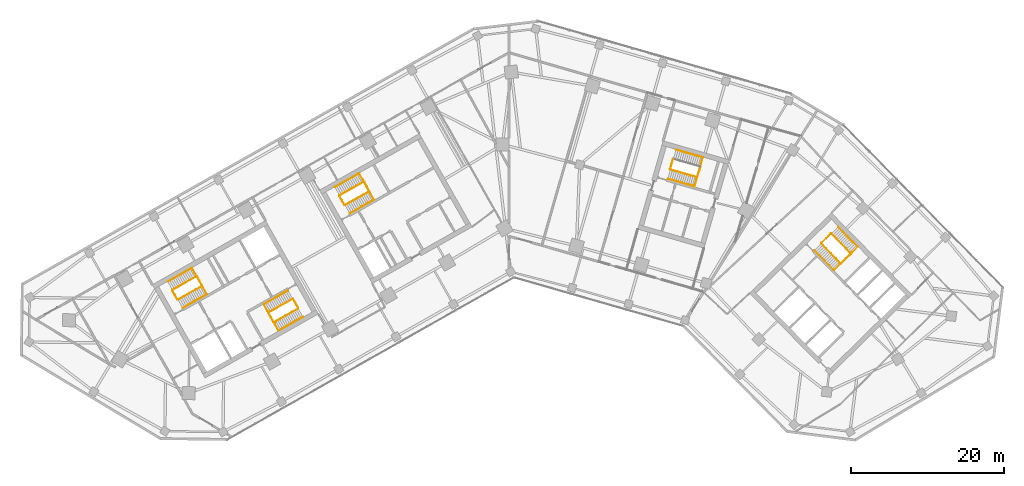
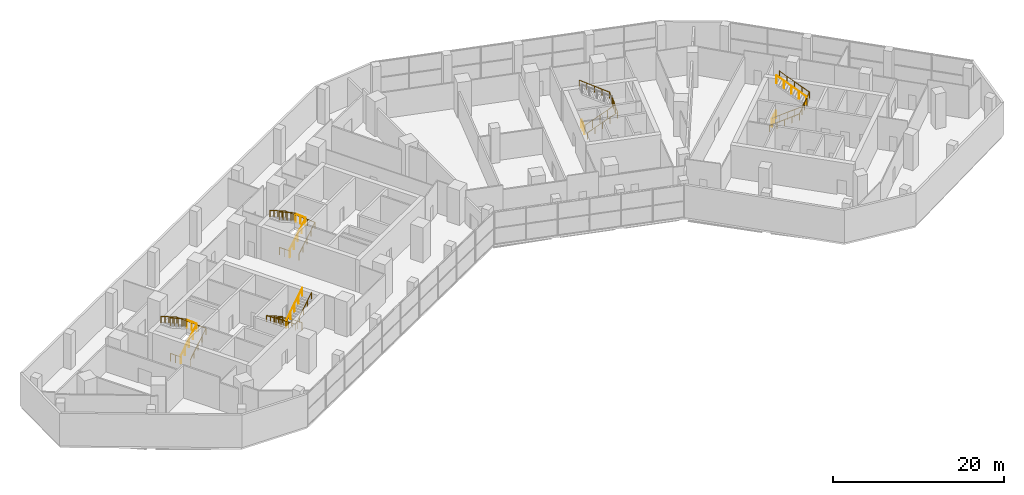
# One storey, part 17 of 18: 19 railings.
"""IFC4 building model written with IfcOpenShell, lengths in metres."""

from ifc_helpers import new_model, si_unit, direction, frame, origin, origin_2d, place, context, subcontext, project, spatial, circle, extrude, material, type_object, element, save


model = new_model("IFC4")

# Units and contexts
model_context = context("Model", 3, precision=1e-05, world=origin(), true_north=direction((0.0, 1.0)))
body_context = subcontext(model_context, "Body", "Model", "MODEL_VIEW")
ifc_project = project(units=[si_unit("LENGTHUNIT", "METRE"), si_unit("AREAUNIT", "SQUARE_METRE"), si_unit("VOLUMEUNIT", "CUBIC_METRE"), si_unit("PLANEANGLEUNIT", "RADIAN"), si_unit("MASSUNIT", "GRAM", prefix="KILO")], contexts=[model_context])

# Site, building, storey
site_placement = place(None, origin())
site = spatial("IfcSite", under=ifc_project, at=site_placement, CompositionType="ELEMENT")
building_placement = place(site_placement, origin())
building = spatial("IfcBuilding", under=site, at=building_placement, Name="Binnacle Exchange Tower", CompositionType="ELEMENT")
storey_placement = place(building_placement, frame((0.0, 0.0, 11.5)))
storey = spatial("IfcBuildingStorey", under=building, at=storey_placement, Name="L02", CompositionType="ELEMENT", Elevation=11.5)

# Railings
ifc_material_1 = material(Name="Steel guard rail", Category="steel")
railing_type_1 = type_object("IfcRailingType", Name="STAIR GUARD 1100", PredefinedType="GUARDRAIL", material=ifc_material_1)
railing_1_placement = place(storey_placement, frame((-43.26171875, 39.71728515625, 0.178466796875)))
element("IfcRailing", 1, at=railing_1_placement, inside=storey, type_object=railing_type_1, Name="L02 STA1 stair guard 1", PredefinedType="GUARDRAIL", context=body_context, shape_type="SweptSolid", body=[
    extrude(circle(Radius=0.02392578125, at=origin_2d()), frame((0.0, 0.0, 1.076171875), z_axis=(0.733795554141, 0.415191658331, 0.537735968274), x_axis=(-0.492450612189, 0.870340390052, 0.0)), (0.0, 0.0, 1.0), 4.317138671875),
    extrude(circle(Radius=0.02392578125, at=origin_2d()), frame((3.16796875, 1.79248046875, 3.3974609375), z_axis=(-0.460963092712, 0.887419307406, 0.0), x_axis=(-0.887419307406, -0.460963092712, 0.0)), (0.0, 0.0, 1.0), 1.40087890625),
    extrude(circle(Radius=0.02099609375, at=origin_2d()), origin(), (0.0, 0.0, 1.0), 1.052001953125),
    extrude(circle(Radius=0.02099609375, at=origin_2d()), frame((0.7919921875, 0.4482421875, 0.580322265625)), (0.0, 0.0, 1.0), 1.052001953125),
    extrude(circle(Radius=0.02099609375, at=origin_2d()), frame((1.583984375, 0.896240234375, 1.16064453125)), (0.0, 0.0, 1.0), 1.052001953125),
    extrude(circle(Radius=0.02099609375, at=origin_2d()), frame((2.3759765625, 1.34423828125, 1.7412109375)), (0.0, 0.0, 1.0), 1.052001953125),
    extrude(circle(Radius=0.02099609375, at=origin_2d()), frame((3.16796875, 1.79248046875, 2.321533203125)), (0.0, 0.0, 1.0), 1.052001953125),
    extrude(circle(Radius=0.02099609375, at=origin_2d()), frame((2.84521484375, 2.4140625, 2.321533203125)), (0.0, 0.0, 1.0), 1.052001953125),
    extrude(circle(Radius=0.02099609375, at=origin_2d()), frame((2.522216796875, 3.03564453125, 2.321533203125)), (0.0, 0.0, 1.0), 1.052001953125),
])
railing_2_placement = place(storey_placement, frame((-40.8076171875, 42.771728515625, 2.678466796875)))
element("IfcRailing", 2, at=railing_2_placement, inside=storey, type_object=railing_type_1, Name="L02 STA1 stair guard 2", PredefinedType="GUARDRAIL", context=body_context, shape_type="SweptSolid", body=[
    extrude(circle(Radius=0.02392578125, at=origin_2d()), frame((0.0, 0.0, 1.076171875), z_axis=(-0.733821652932, -0.415174429824, 0.537713654753), x_axis=(0.492421866095, -0.870356654361, 0.0)), (0.0, 0.0, 1.0), 4.3173828125),
    extrude(circle(Radius=0.02099609375, at=origin_2d()), origin(), (0.0, 0.0, 1.0), 1.052001953125),
    extrude(circle(Radius=0.02099609375, at=origin_2d()), frame((-0.7919921875, -0.4482421875, 0.580322265625)), (0.0, 0.0, 1.0), 1.052001953125),
    extrude(circle(Radius=0.02099609375, at=origin_2d()), frame((-1.583984375, -0.896240234375, 1.16064453125)), (0.0, 0.0, 1.0), 1.052001953125),
    extrude(circle(Radius=0.02099609375, at=origin_2d()), frame((-2.376220703125, -1.34423828125, 1.7412109375)), (0.0, 0.0, 1.0), 1.052001953125),
    extrude(circle(Radius=0.02099609375, at=origin_2d()), frame((-3.168212890625, -1.79248046875, 2.321533203125)), (0.0, 0.0, 1.0), 1.052001953125),
])
railing_3_placement = place(storey_placement, frame((-43.329833984375, 39.736328125, 0.0)))
element("IfcRailing", 3, at=railing_3_placement, inside=storey, type_object=railing_type_1, Name="L02 STA1 stair guard 3", PredefinedType="GUARDRAIL", context=body_context, shape_type="SweptSolid", body=[
    extrude(circle(Radius=0.02392578125, at=origin_2d()), frame((0.0, 0.0, 1.076171875), z_axis=(-0.4924922531, 0.870316827734, 0.0), x_axis=(-0.870316827734, -0.4924922531, 0.0)), (0.0, 0.0, 1.0), 1.349853515625),
    extrude(circle(Radius=0.02099609375, at=origin_2d()), origin(), (0.0, 0.0, 1.0), 1.052001953125),
    extrude(circle(Radius=0.02099609375, at=origin_2d()), frame((-0.33251953125, 0.58740234375, 0.0)), (0.0, 0.0, 1.0), 1.052001953125),
    extrude(circle(Radius=0.02099609375, at=origin_2d()), frame((-0.664794921875, 1.1748046875, 0.0)), (0.0, 0.0, 1.0), 1.052001953125),
])
railing_4_placement = place(storey_placement, frame((-28.265380859375, 39.814453125, 0.178466796875)))
element("IfcRailing", 4, at=railing_4_placement, inside=storey, type_object=railing_type_1, Name="L02 STA2 stair guard 1", PredefinedType="GUARDRAIL", context=body_context, shape_type="SweptSolid", body=[
    extrude(circle(Radius=0.02392578125, at=origin_2d()), frame((0.0, 0.0, 1.076171875), z_axis=(-0.733821652932, -0.415174429824, 0.537713654753), x_axis=(0.492421866095, -0.870356654361, 0.0)), (0.0, 0.0, 1.0), 4.3173828125),
    extrude(circle(Radius=0.02392578125, at=origin_2d()), frame((-3.168212890625, -1.79248046875, 3.3974609375), z_axis=(0.461100321709, -0.887348011391, 0.0), x_axis=(0.887348011391, 0.461100321709, 0.0)), (0.0, 0.0, 1.0), 1.40087890625),
    extrude(circle(Radius=0.02099609375, at=origin_2d()), origin(), (0.0, 0.0, 1.0), 1.052001953125),
    extrude(circle(Radius=0.02099609375, at=origin_2d()), frame((-0.7919921875, -0.4482421875, 0.580322265625)), (0.0, 0.0, 1.0), 1.052001953125),
    extrude(circle(Radius=0.02099609375, at=origin_2d()), frame((-1.583984375, -0.896240234375, 1.16064453125)), (0.0, 0.0, 1.0), 1.052001953125),
    extrude(circle(Radius=0.02099609375, at=origin_2d()), frame((-2.376220703125, -1.34423828125, 1.7412109375)), (0.0, 0.0, 1.0), 1.052001953125),
    extrude(circle(Radius=0.02099609375, at=origin_2d()), frame((-3.168212890625, -1.79248046875, 2.321533203125)), (0.0, 0.0, 1.0), 1.052001953125),
    extrude(circle(Radius=0.02099609375, at=origin_2d()), frame((-2.84521484375, -2.4140625, 2.321533203125)), (0.0, 0.0, 1.0), 1.052001953125),
    extrude(circle(Radius=0.02099609375, at=origin_2d()), frame((-2.522216796875, -3.03564453125, 2.321533203125)), (0.0, 0.0, 1.0), 1.052001953125),
])
railing_5_placement = place(storey_placement, frame((-30.719482421875, 36.760009765625, 2.678466796875)))
element("IfcRailing", 5, at=railing_5_placement, inside=storey, type_object=railing_type_1, Name="L02 STA2 stair guard 2", PredefinedType="GUARDRAIL", context=body_context, shape_type="SweptSolid", body=[
    extrude(circle(Radius=0.02392578125, at=origin_2d()), frame((0.0, 0.0, 1.076171875), z_axis=(0.733795554141, 0.415191658331, 0.537735968274), x_axis=(-0.492450612189, 0.870340390052, 0.0)), (0.0, 0.0, 1.0), 4.317138671875),
    extrude(circle(Radius=0.02099609375, at=origin_2d()), origin(), (0.0, 0.0, 1.0), 1.052001953125),
    extrude(circle(Radius=0.02099609375, at=origin_2d()), frame((0.7919921875, 0.4482421875, 0.580322265625)), (0.0, 0.0, 1.0), 1.052001953125),
    extrude(circle(Radius=0.02099609375, at=origin_2d()), frame((1.583984375, 0.896240234375, 1.16064453125)), (0.0, 0.0, 1.0), 1.052001953125),
    extrude(circle(Radius=0.02099609375, at=origin_2d()), frame((2.3759765625, 1.34423828125, 1.7412109375)), (0.0, 0.0, 1.0), 1.052001953125),
    extrude(circle(Radius=0.02099609375, at=origin_2d()), frame((3.16796875, 1.79248046875, 2.321533203125)), (0.0, 0.0, 1.0), 1.052001953125),
])
railing_6_placement = place(storey_placement, frame((-28.197265625, 39.795654296875, 0.0)))
element("IfcRailing", 6, at=railing_6_placement, inside=storey, type_object=railing_type_1, Name="L02 STA2 stair guard 3", PredefinedType="GUARDRAIL", context=body_context, shape_type="SweptSolid", body=[
    extrude(circle(Radius=0.02392578125, at=origin_2d()), frame((0.0, 0.0, 1.076171875), z_axis=(0.49241474071, -0.870360685654, 0.0), x_axis=(0.870360685654, 0.49241474071, 0.0)), (0.0, 0.0, 1.0), 1.35009765625),
    extrude(circle(Radius=0.02099609375, at=origin_2d()), origin(), (0.0, 0.0, 1.0), 1.052001953125),
    extrude(circle(Radius=0.02099609375, at=origin_2d()), frame((0.33251953125, -0.58740234375, 0.0)), (0.0, 0.0, 1.0), 1.052001953125),
    extrude(circle(Radius=0.02099609375, at=origin_2d()), frame((0.664794921875, -1.175048828125, 0.0)), (0.0, 0.0, 1.0), 1.052001953125),
])
railing_7_placement = place(storey_placement, frame((40.822509765625, 47.046875, 0.178466796875)))
element("IfcRailing", 7, at=railing_7_placement, inside=storey, type_object=railing_type_1, Name="L02 STB1 stair guard 1", PredefinedType="GUARDRAIL", context=body_context, shape_type="SweptSolid", body=[
    extrude(circle(Radius=0.02392578125, at=origin_2d()), frame((0.0, 0.0, 1.076171875), z_axis=(0.590946962671, -0.60135215321, 0.537733461056), x_axis=(0.713250539553, 0.700909172309, 0.0)), (0.0, 0.0, 1.0), 4.317138671875),
    extrude(circle(Radius=0.02392578125, at=origin_2d()), frame((2.55126953125, -2.59619140625, 3.3974609375), z_axis=(0.732527851538, 0.680737061369, 0.0), x_axis=(-0.680737061369, 0.732527851538, 0.0)), (0.0, 0.0, 1.0), 1.80078125),
    extrude(circle(Radius=0.02099609375, at=origin_2d()), origin(), (0.0, 0.0, 1.0), 1.052001953125),
    extrude(circle(Radius=0.02099609375, at=origin_2d()), frame((0.6376953125, -0.64892578125, 0.580322265625)), (0.0, 0.0, 1.0), 1.052001953125),
    extrude(circle(Radius=0.02099609375, at=origin_2d()), frame((1.275634765625, -1.298095703125, 1.16064453125)), (0.0, 0.0, 1.0), 1.052001953125),
    extrude(circle(Radius=0.02099609375, at=origin_2d()), frame((1.91357421875, -1.947265625, 1.7412109375)), (0.0, 0.0, 1.0), 1.052001953125),
    extrude(circle(Radius=0.02099609375, at=origin_2d()), frame((2.55126953125, -2.59619140625, 2.321533203125)), (0.0, 0.0, 1.0), 1.052001953125),
    extrude(circle(Radius=0.02099609375, at=origin_2d()), frame((3.2109375, -1.9833984375, 2.321533203125)), (0.0, 0.0, 1.0), 1.052001953125),
    extrude(circle(Radius=0.02099609375, at=origin_2d()), frame((3.870361328125, -1.370361328125, 2.321533203125)), (0.0, 0.0, 1.0), 1.052001953125),
])
railing_8_placement = place(storey_placement, frame((44.693359375, 45.747314453125, 2.678466796875)))
element("IfcRailing", 8, at=railing_8_placement, inside=storey, type_object=railing_type_1, Name="L02 STB1 stair guard 2", PredefinedType="GUARDRAIL", context=body_context, shape_type="SweptSolid", body=[
    extrude(circle(Radius=0.02392578125, at=origin_2d()), frame((0.0, 0.0, 1.076171875), z_axis=(-0.590946962671, 0.60135215321, 0.537733461056), x_axis=(-0.713250539553, -0.700909172309, 0.0)), (0.0, 0.0, 1.0), 4.317138671875),
    extrude(circle(Radius=0.02099609375, at=origin_2d()), origin(), (0.0, 0.0, 1.0), 1.052001953125),
    extrude(circle(Radius=0.02099609375, at=origin_2d()), frame((-0.6376953125, 0.64892578125, 0.580322265625)), (0.0, 0.0, 1.0), 1.052001953125),
    extrude(circle(Radius=0.02099609375, at=origin_2d()), frame((-1.275634765625, 1.298095703125, 1.16064453125)), (0.0, 0.0, 1.0), 1.052001953125),
    extrude(circle(Radius=0.02099609375, at=origin_2d()), frame((-1.91357421875, 1.947265625, 1.7412109375)), (0.0, 0.0, 1.0), 1.052001953125),
    extrude(circle(Radius=0.02099609375, at=origin_2d()), frame((-2.55126953125, 2.59619140625, 2.321533203125)), (0.0, 0.0, 1.0), 1.052001953125),
])
railing_9_placement = place(storey_placement, frame((40.8232421875, 47.117431640625, 0.0)))
element("IfcRailing", 9, at=railing_9_placement, inside=storey, type_object=railing_type_1, Name="L02 STB1 stair guard 3", PredefinedType="GUARDRAIL", context=body_context, shape_type="SweptSolid", body=[
    extrude(circle(Radius=0.02392578125, at=origin_2d()), frame((0.0, 0.0, 1.076171875), z_axis=(0.713218950569, 0.700941316052, 0.0), x_axis=(-0.700941316052, 0.713218950569, 0.0)), (0.0, 0.0, 1.0), 1.75),
    extrude(circle(Radius=0.02099609375, at=origin_2d()), origin(), (0.0, 0.0, 1.0), 1.052001953125),
    extrude(circle(Radius=0.02099609375, at=origin_2d()), frame((0.6240234375, 0.61328125, 0.0)), (0.0, 0.0, 1.0), 1.052001953125),
    extrude(circle(Radius=0.02099609375, at=origin_2d()), frame((1.248046875, 1.2265625, 0.0)), (0.0, 0.0, 1.0), 1.052001953125),
])
railing_10_placement = place(storey_placement, frame((-21.423828125, 52.07275390625, 0.178466796875)))
element("IfcRailing", 10, at=railing_10_placement, inside=storey, type_object=railing_type_1, Name="L02 STC1 stair guard 1", PredefinedType="GUARDRAIL", context=body_context, shape_type="SweptSolid", body=[
    extrude(circle(Radius=0.02392578125, at=origin_2d()), frame((0.0, 0.0, 1.076171875), z_axis=(0.733838880464, 0.415127627455, 0.537726278364), x_axis=(-0.492371057291, 0.870385398511, 0.0)), (0.0, 0.0, 1.0), 4.3173828125),
    extrude(circle(Radius=0.02392578125, at=origin_2d()), frame((3.168212890625, 1.792236328125, 3.3974609375), z_axis=(-0.461100321709, 0.887348011391, 0.0), x_axis=(-0.887348011391, -0.461100321709, 0.0)), (0.0, 0.0, 1.0), 1.40087890625),
    extrude(circle(Radius=0.02099609375, at=origin_2d()), origin(), (0.0, 0.0, 1.0), 1.052001953125),
    extrude(circle(Radius=0.02099609375, at=origin_2d()), frame((0.7919921875, 0.447998046875, 0.580322265625)), (0.0, 0.0, 1.0), 1.052001953125),
    extrude(circle(Radius=0.02099609375, at=origin_2d()), frame((1.583984375, 0.89599609375, 1.16064453125)), (0.0, 0.0, 1.0), 1.052001953125),
    extrude(circle(Radius=0.02099609375, at=origin_2d()), frame((2.376220703125, 1.34423828125, 1.7412109375)), (0.0, 0.0, 1.0), 1.052001953125),
    extrude(circle(Radius=0.02099609375, at=origin_2d()), frame((3.168212890625, 1.792236328125, 2.321533203125)), (0.0, 0.0, 1.0), 1.052001953125),
    extrude(circle(Radius=0.02099609375, at=origin_2d()), frame((2.84521484375, 2.413818359375, 2.321533203125)), (0.0, 0.0, 1.0), 1.052001953125),
    extrude(circle(Radius=0.02099609375, at=origin_2d()), frame((2.522216796875, 3.035400390625, 2.321533203125)), (0.0, 0.0, 1.0), 1.052001953125),
])
railing_11_placement = place(storey_placement, frame((-18.9697265625, 55.126953125, 2.678466796875)))
element("IfcRailing", 11, at=railing_11_placement, inside=storey, type_object=railing_type_1, Name="L02 STC1 stair guard 2", PredefinedType="GUARDRAIL", context=body_context, shape_type="SweptSolid", body=[
    extrude(circle(Radius=0.02392578125, at=origin_2d()), frame((0.0, 0.0, 1.076171875), z_axis=(-0.733812782489, -0.415144854829, 0.537748593457), x_axis=(0.492399802317, -0.870369137021, 0.0)), (0.0, 0.0, 1.0), 4.317138671875),
    extrude(circle(Radius=0.02099609375, at=origin_2d()), origin(), (0.0, 0.0, 1.0), 1.052001953125),
    extrude(circle(Radius=0.02099609375, at=origin_2d()), frame((-0.7919921875, -0.447998046875, 0.580322265625)), (0.0, 0.0, 1.0), 1.052001953125),
    extrude(circle(Radius=0.02099609375, at=origin_2d()), frame((-1.583984375, -0.89599609375, 1.16064453125)), (0.0, 0.0, 1.0), 1.052001953125),
    extrude(circle(Radius=0.02099609375, at=origin_2d()), frame((-2.3759765625, -1.34423828125, 1.7412109375)), (0.0, 0.0, 1.0), 1.052001953125),
    extrude(circle(Radius=0.02099609375, at=origin_2d()), frame((-3.16796875, -1.792236328125, 2.321533203125)), (0.0, 0.0, 1.0), 1.052001953125),
])
railing_12_placement = place(storey_placement, frame((-21.491943359375, 52.091552734375, 0.0)))
element("IfcRailing", 12, at=railing_12_placement, inside=storey, type_object=railing_type_1, Name="L02 STC1 stair guard 3", PredefinedType="GUARDRAIL", context=body_context, shape_type="SweptSolid", body=[
    extrude(circle(Radius=0.02392578125, at=origin_2d()), frame((0.0, 0.0, 1.076171875), z_axis=(-0.49241474071, 0.870360685654, 0.0), x_axis=(-0.870360685654, -0.49241474071, 0.0)), (0.0, 0.0, 1.0), 1.35009765625),
    extrude(circle(Radius=0.02099609375, at=origin_2d()), origin(), (0.0, 0.0, 1.0), 1.052001953125),
    extrude(circle(Radius=0.02099609375, at=origin_2d()), frame((-0.33251953125, 0.58740234375, 0.0)), (0.0, 0.0, 1.0), 1.052001953125),
    extrude(circle(Radius=0.02099609375, at=origin_2d()), frame((-0.664794921875, 1.175048828125, 0.0)), (0.0, 0.0, 1.0), 1.052001953125),
])
railing_13_placement = place(storey_placement, frame((21.086669921875, 56.71044921875, 0.178466796875)))
element("IfcRailing", 13, at=railing_13_placement, inside=storey, type_object=railing_type_1, Name="L02 STD1 stair guard 1", PredefinedType="GUARDRAIL", context=body_context, shape_type="SweptSolid", body=[
    extrude(circle(Radius=0.02392578125, at=origin_2d()), frame((0.0, 0.0, 1.076171875), z_axis=(0.810455892038, -0.232415135102, 0.537721537635), x_axis=(0.275659984683, 0.961255206927, 0.0)), (0.0, 0.0, 1.0), 4.3173828125),
    extrude(circle(Radius=0.02392578125, at=origin_2d()), frame((3.4990234375, -1.00341796875, 3.3974609375), z_axis=(0.309684985722, 0.950839213337, 0.0), x_axis=(-0.950839213337, 0.309684985722, 0.0)), (0.0, 0.0, 1.0), 1.40087890625),
    extrude(circle(Radius=0.02099609375, at=origin_2d()), origin(), (0.0, 0.0, 1.0), 1.052001953125),
    extrude(circle(Radius=0.02099609375, at=origin_2d()), frame((0.874755859375, -0.2509765625, 0.580322265625)), (0.0, 0.0, 1.0), 1.052001953125),
    extrude(circle(Radius=0.02099609375, at=origin_2d()), frame((1.74951171875, -0.501708984375, 1.16064453125)), (0.0, 0.0, 1.0), 1.052001953125),
    extrude(circle(Radius=0.02099609375, at=origin_2d()), frame((2.624267578125, -0.75244140625, 1.7412109375)), (0.0, 0.0, 1.0), 1.052001953125),
    extrude(circle(Radius=0.02099609375, at=origin_2d()), frame((3.4990234375, -1.00341796875, 2.321533203125)), (0.0, 0.0, 1.0), 1.052001953125),
    extrude(circle(Radius=0.02099609375, at=origin_2d()), frame((3.7158203125, -0.33740234375, 2.321533203125)), (0.0, 0.0, 1.0), 1.052001953125),
    extrude(circle(Radius=0.02099609375, at=origin_2d()), frame((3.932861328125, 0.32861328125, 2.321533203125)), (0.0, 0.0, 1.0), 1.052001953125),
])
railing_14_placement = place(storey_placement, frame((21.05224609375, 56.772216796875, 0.0)))
element("IfcRailing", 14, at=railing_14_placement, inside=storey, type_object=railing_type_1, Name="L02 STD1 stair guard 3", PredefinedType="GUARDRAIL", context=body_context, shape_type="SweptSolid", body=[
    extrude(circle(Radius=0.02392578125, at=origin_2d()), frame((0.0, 0.0, 1.076171875), z_axis=(0.275795817769, 0.961216243569, 0.0), x_axis=(-0.961216243569, 0.275795817769, 0.0)), (0.0, 0.0, 1.0), 1.349853515625),
    extrude(circle(Radius=0.02099609375, at=origin_2d()), origin(), (0.0, 0.0, 1.0), 1.052001953125),
    extrude(circle(Radius=0.02099609375, at=origin_2d()), frame((0.18603515625, 0.64892578125, 0.0)), (0.0, 0.0, 1.0), 1.052001953125),
    extrude(circle(Radius=0.02099609375, at=origin_2d()), frame((0.372314453125, 1.297607421875, 0.0)), (0.0, 0.0, 1.0), 1.052001953125),
])
ifc_material_2 = material(Name="Steel handrail", Category="steel")
railing_type_2 = type_object("IfcRailingType", Name="STAIR HANDRAIL 900", PredefinedType="HANDRAIL", material=ifc_material_2)
railing_15_placement = place(storey_placement, frame((-42.646240234375, 38.62939453125, 0.178466796875)))
element("IfcRailing", 15, at=railing_15_placement, inside=storey, type_object=railing_type_2, Name="L02 STA1 stair handrail 1", PredefinedType="HANDRAIL", context=body_context, shape_type="SweptSolid", body=[
    extrude(circle(Radius=0.02392578125, at=origin_2d()), frame((0.0, 0.0, 0.8759765625), z_axis=(0.733821652932, 0.415174429824, 0.537713654753), x_axis=(-0.492421866095, 0.870356654361, 0.0)), (0.0, 0.0, 1.0), 4.3173828125),
    extrude(circle(Radius=0.02392578125, at=origin_2d()), frame((3.168212890625, 1.79248046875, 3.197265625), z_axis=(-0.491985021148, 0.869432866815, 0.045135674003), x_axis=(-0.870319839224, -0.492486931251, 0.0)), (0.0, 0.0, 1.0), 3.9541015625),
    extrude(circle(Radius=0.02392578125, at=origin_2d()), frame((1.222900390625, 5.230224609375, 3.3759765625), z_axis=(-0.733812782489, -0.415144854829, 0.537748593457), x_axis=(0.492399802317, -0.870369137021, 0.0)), (0.0, 0.0, 1.0), 4.317138671875),
    extrude(circle(Radius=0.02099609375, at=origin_2d()), origin(), (0.0, 0.0, 1.0), 0.851806640625),
    extrude(circle(Radius=0.02099609375, at=origin_2d()), frame((0.7919921875, 0.4482421875, 0.580322265625)), (0.0, 0.0, 1.0), 0.851806640625),
    extrude(circle(Radius=0.02099609375, at=origin_2d()), frame((1.583984375, 0.896240234375, 1.16064453125)), (0.0, 0.0, 1.0), 0.851806640625),
    extrude(circle(Radius=0.02099609375, at=origin_2d()), frame((2.376220703125, 1.34423828125, 1.7412109375)), (0.0, 0.0, 1.0), 0.851806640625),
    extrude(circle(Radius=0.02099609375, at=origin_2d()), frame((3.168212890625, 1.79248046875, 2.321533203125)), (0.0, 0.0, 1.0), 0.851806640625),
    extrude(circle(Radius=0.02099609375, at=origin_2d()), frame((2.681884765625, 2.65185546875, 2.3662109375)), (0.0, 0.0, 1.0), 0.851806640625),
    extrude(circle(Radius=0.02099609375, at=origin_2d()), frame((2.195556640625, 3.51123046875, 2.41064453125)), (0.0, 0.0, 1.0), 0.851806640625),
    extrude(circle(Radius=0.02099609375, at=origin_2d()), frame((1.709228515625, 4.370849609375, 2.455322265625)), (0.0, 0.0, 1.0), 0.851806640625),
    extrude(circle(Radius=0.02099609375, at=origin_2d()), frame((1.222900390625, 5.230224609375, 2.5)), (0.0, 0.0, 1.0), 0.851806640625),
    extrude(circle(Radius=0.02099609375, at=origin_2d()), frame((0.430908203125, 4.7822265625, 3.080322265625)), (0.0, 0.0, 1.0), 0.851806640625),
    extrude(circle(Radius=0.02099609375, at=origin_2d()), frame((-0.361083984375, 4.333984375, 3.66064453125)), (0.0, 0.0, 1.0), 0.851806640625),
    extrude(circle(Radius=0.02099609375, at=origin_2d()), frame((-1.153076171875, 3.885986328125, 4.2412109375)), (0.0, 0.0, 1.0), 0.851806640625),
    extrude(circle(Radius=0.02099609375, at=origin_2d()), frame((-1.945068359375, 3.43798828125, 4.821533203125)), (0.0, 0.0, 1.0), 0.851806640625),
])
railing_16_placement = place(storey_placement, frame((-28.880859375, 40.90234375, 0.178466796875)))
element("IfcRailing", 16, at=railing_16_placement, inside=storey, type_object=railing_type_2, Name="L02 STA2 stair handrail 1", PredefinedType="HANDRAIL", context=body_context, shape_type="SweptSolid", body=[
    extrude(circle(Radius=0.02392578125, at=origin_2d()), frame((0.0, 0.0, 0.8759765625), z_axis=(-0.733838880464, -0.415127627455, 0.537726278364), x_axis=(0.492371057291, -0.870385398511, 0.0)), (0.0, 0.0, 1.0), 4.3173828125),
    extrude(circle(Radius=0.02392578125, at=origin_2d()), frame((-3.168212890625, -1.792236328125, 3.197265625), z_axis=(0.491911810019, -0.86947434526, 0.045134621956), x_axis=(0.870361318571, 0.492413622004, 0.0)), (0.0, 0.0, 1.0), 3.9541015625),
    extrude(circle(Radius=0.02392578125, at=origin_2d()), frame((-1.22314453125, -5.230224609375, 3.3759765625), z_axis=(0.733821652932, 0.415174429824, 0.537713654753), x_axis=(-0.492421866095, 0.870356654361, 0.0)), (0.0, 0.0, 1.0), 4.3173828125),
    extrude(circle(Radius=0.02099609375, at=origin_2d()), origin(), (0.0, 0.0, 1.0), 0.851806640625),
    extrude(circle(Radius=0.02099609375, at=origin_2d()), frame((-0.7919921875, -0.447998046875, 0.580322265625)), (0.0, 0.0, 1.0), 0.851806640625),
    extrude(circle(Radius=0.02099609375, at=origin_2d()), frame((-1.583984375, -0.89599609375, 1.16064453125)), (0.0, 0.0, 1.0), 0.851806640625),
    extrude(circle(Radius=0.02099609375, at=origin_2d()), frame((-2.376220703125, -1.34423828125, 1.7412109375)), (0.0, 0.0, 1.0), 0.851806640625),
    extrude(circle(Radius=0.02099609375, at=origin_2d()), frame((-3.168212890625, -1.792236328125, 2.321533203125)), (0.0, 0.0, 1.0), 0.851806640625),
    extrude(circle(Radius=0.02099609375, at=origin_2d()), frame((-2.681884765625, -2.65185546875, 2.3662109375)), (0.0, 0.0, 1.0), 0.851806640625),
    extrude(circle(Radius=0.02099609375, at=origin_2d()), frame((-2.19580078125, -3.51123046875, 2.41064453125)), (0.0, 0.0, 1.0), 0.851806640625),
    extrude(circle(Radius=0.02099609375, at=origin_2d()), frame((-1.70947265625, -4.37060546875, 2.455322265625)), (0.0, 0.0, 1.0), 0.851806640625),
    extrude(circle(Radius=0.02099609375, at=origin_2d()), frame((-1.22314453125, -5.230224609375, 2.5)), (0.0, 0.0, 1.0), 0.851806640625),
    extrude(circle(Radius=0.02099609375, at=origin_2d()), frame((-0.43115234375, -4.7822265625, 3.080322265625)), (0.0, 0.0, 1.0), 0.851806640625),
    extrude(circle(Radius=0.02099609375, at=origin_2d()), frame((0.36083984375, -4.333984375, 3.66064453125)), (0.0, 0.0, 1.0), 0.851806640625),
    extrude(circle(Radius=0.02099609375, at=origin_2d()), frame((1.153076171875, -3.8857421875, 4.2412109375)), (0.0, 0.0, 1.0), 0.851806640625),
    extrude(circle(Radius=0.02099609375, at=origin_2d()), frame((1.945068359375, -3.437744140625, 4.821533203125)), (0.0, 0.0, 1.0), 0.851806640625),
])
railing_17_placement = place(storey_placement, frame((39.930908203125, 46.170654296875, 0.178466796875)))
element("IfcRailing", 17, at=railing_17_placement, inside=storey, type_object=railing_type_2, Name="L02 STB1 stair handrail 1", PredefinedType="HANDRAIL", context=body_context, shape_type="SweptSolid", body=[
    extrude(circle(Radius=0.02392578125, at=origin_2d()), frame((0.0, 0.0, 0.8759765625), z_axis=(0.590983762497, -0.601332057257, 0.53771549111), x_axis=(0.713217009097, 0.700943291525, 0.0)), (0.0, 0.0, 1.0), 4.3173828125),
    extrude(circle(Radius=0.02392578125, at=origin_2d()), frame((2.551513671875, -2.59619140625, 3.197265625), z_axis=(0.712654164256, 0.700316745611, 0.040993877406), x_axis=(-0.700905928746, 0.713253726978, 0.0)), (0.0, 0.0, 1.0), 4.353515625),
    extrude(circle(Radius=0.02392578125, at=origin_2d()), frame((5.654052734375, 0.45263671875, 3.3759765625), z_axis=(-0.590926866753, 0.601388251475, 0.537715174732), x_axis=(-0.713283488215, -0.700875641922, 0.0)), (0.0, 0.0, 1.0), 4.3173828125),
    extrude(circle(Radius=0.02099609375, at=origin_2d()), origin(), (0.0, 0.0, 1.0), 0.851806640625),
    extrude(circle(Radius=0.02099609375, at=origin_2d()), frame((0.637939453125, -0.64892578125, 0.580322265625)), (0.0, 0.0, 1.0), 0.851806640625),
    extrude(circle(Radius=0.02099609375, at=origin_2d()), frame((1.27587890625, -1.298095703125, 1.16064453125)), (0.0, 0.0, 1.0), 0.851806640625),
    extrude(circle(Radius=0.02099609375, at=origin_2d()), frame((1.91357421875, -1.947265625, 1.7412109375)), (0.0, 0.0, 1.0), 0.851806640625),
    extrude(circle(Radius=0.02099609375, at=origin_2d()), frame((2.551513671875, -2.59619140625, 2.321533203125)), (0.0, 0.0, 1.0), 0.851806640625),
    extrude(circle(Radius=0.02099609375, at=origin_2d()), frame((3.3271484375, -1.833984375, 2.3662109375)), (0.0, 0.0, 1.0), 0.851806640625),
    extrude(circle(Radius=0.02099609375, at=origin_2d()), frame((4.102783203125, -1.07177734375, 2.41064453125)), (0.0, 0.0, 1.0), 0.851806640625),
    extrude(circle(Radius=0.02099609375, at=origin_2d()), frame((4.87841796875, -0.3095703125, 2.455322265625)), (0.0, 0.0, 1.0), 0.851806640625),
    extrude(circle(Radius=0.02099609375, at=origin_2d()), frame((5.654052734375, 0.45263671875, 2.5)), (0.0, 0.0, 1.0), 0.851806640625),
    extrude(circle(Radius=0.02099609375, at=origin_2d()), frame((5.01611328125, 1.101806640625, 3.080322265625)), (0.0, 0.0, 1.0), 0.851806640625),
    extrude(circle(Radius=0.02099609375, at=origin_2d()), frame((4.37841796875, 1.7509765625, 3.66064453125)), (0.0, 0.0, 1.0), 0.851806640625),
    extrude(circle(Radius=0.02099609375, at=origin_2d()), frame((3.74072265625, 2.39990234375, 4.2412109375)), (0.0, 0.0, 1.0), 0.851806640625),
    extrude(circle(Radius=0.02099609375, at=origin_2d()), frame((3.102783203125, 3.049072265625, 4.821533203125)), (0.0, 0.0, 1.0), 0.851806640625),
])
railing_18_placement = place(storey_placement, frame((-20.808349609375, 50.984619140625, 0.178466796875)))
element("IfcRailing", 18, at=railing_18_placement, inside=storey, type_object=railing_type_2, Name="L02 STC1 stair handrail 1", PredefinedType="HANDRAIL", context=body_context, shape_type="SweptSolid", body=[
    extrude(circle(Radius=0.02392578125, at=origin_2d()), frame((0.0, 0.0, 0.8759765625), z_axis=(0.733821652932, 0.415174429824, 0.537713654753), x_axis=(-0.492421866095, 0.870356654361, 0.0)), (0.0, 0.0, 1.0), 4.3173828125),
    extrude(circle(Radius=0.02392578125, at=origin_2d()), frame((3.168212890625, 1.79248046875, 3.197265625), z_axis=(-0.491911810019, 0.86947434526, 0.045134621956), x_axis=(-0.870361318571, -0.492413622004, 0.0)), (0.0, 0.0, 1.0), 3.9541015625),
    extrude(circle(Radius=0.02392578125, at=origin_2d()), frame((1.22314453125, 5.23046875, 3.3759765625), z_axis=(-0.733821652932, -0.415174429824, 0.537713654753), x_axis=(0.492421866095, -0.870356654361, 0.0)), (0.0, 0.0, 1.0), 4.3173828125),
    extrude(circle(Radius=0.02099609375, at=origin_2d()), origin(), (0.0, 0.0, 1.0), 0.851806640625),
    extrude(circle(Radius=0.02099609375, at=origin_2d()), frame((0.7919921875, 0.4482421875, 0.580322265625)), (0.0, 0.0, 1.0), 0.851806640625),
    extrude(circle(Radius=0.02099609375, at=origin_2d()), frame((1.583984375, 0.896240234375, 1.16064453125)), (0.0, 0.0, 1.0), 0.851806640625),
    extrude(circle(Radius=0.02099609375, at=origin_2d()), frame((2.376220703125, 1.34423828125, 1.7412109375)), (0.0, 0.0, 1.0), 0.851806640625),
    extrude(circle(Radius=0.02099609375, at=origin_2d()), frame((3.168212890625, 1.79248046875, 2.321533203125)), (0.0, 0.0, 1.0), 0.851806640625),
    extrude(circle(Radius=0.02099609375, at=origin_2d()), frame((2.681884765625, 2.65185546875, 2.3662109375)), (0.0, 0.0, 1.0), 0.851806640625),
    extrude(circle(Radius=0.02099609375, at=origin_2d()), frame((2.19580078125, 3.511474609375, 2.41064453125)), (0.0, 0.0, 1.0), 0.851806640625),
    extrude(circle(Radius=0.02099609375, at=origin_2d()), frame((1.70947265625, 4.37109375, 2.455322265625)), (0.0, 0.0, 1.0), 0.851806640625),
    extrude(circle(Radius=0.02099609375, at=origin_2d()), frame((1.22314453125, 5.23046875, 2.5)), (0.0, 0.0, 1.0), 0.851806640625),
    extrude(circle(Radius=0.02099609375, at=origin_2d()), frame((0.43115234375, 4.7822265625, 3.080322265625)), (0.0, 0.0, 1.0), 0.851806640625),
    extrude(circle(Radius=0.02099609375, at=origin_2d()), frame((-0.36083984375, 4.334228515625, 3.66064453125)), (0.0, 0.0, 1.0), 0.851806640625),
    extrude(circle(Radius=0.02099609375, at=origin_2d()), frame((-1.153076171875, 3.88623046875, 4.2412109375)), (0.0, 0.0, 1.0), 0.851806640625),
    extrude(circle(Radius=0.02099609375, at=origin_2d()), frame((-1.945068359375, 3.43798828125, 4.821533203125)), (0.0, 0.0, 1.0), 0.851806640625),
])
railing_19_placement = place(storey_placement, frame((20.7421875, 55.5087890625, 0.178466796875)))
element("IfcRailing", 19, at=railing_19_placement, inside=storey, type_object=railing_type_2, Name="L02 STD1 stair handrail 1", PredefinedType="HANDRAIL", context=body_context, shape_type="SweptSolid", body=[
    extrude(circle(Radius=0.02392578125, at=origin_2d()), frame((0.0, 0.0, 0.8759765625), z_axis=(0.810436485383, -0.2324257871, 0.537746182368), x_axis=(0.27567775811, 0.961250109848, 0.0)), (0.0, 0.0, 1.0), 4.317138671875),
    extrude(circle(Radius=0.02392578125, at=origin_2d()), frame((3.498779296875, -1.00341796875, 3.197265625), z_axis=(0.275370676617, 0.960278056821, 0.045133624351), x_axis=(-0.961257617982, 0.275651576943, 0.0)), (0.0, 0.0, 1.0), 3.9541015625),
    extrude(circle(Radius=0.02392578125, at=origin_2d()), frame((4.587646484375, 2.793701171875, 3.3759765625), z_axis=(-0.810466542589, 0.232361639932, 0.537728604067), x_axis=(-0.275598008994, -0.961272977587, 0.0)), (0.0, 0.0, 1.0), 4.3173828125),
    extrude(circle(Radius=0.02099609375, at=origin_2d()), origin(), (0.0, 0.0, 1.0), 0.851806640625),
    extrude(circle(Radius=0.02099609375, at=origin_2d()), frame((0.874755859375, -0.2509765625, 0.580322265625)), (0.0, 0.0, 1.0), 0.851806640625),
    extrude(circle(Radius=0.02099609375, at=origin_2d()), frame((1.74951171875, -0.501708984375, 1.16064453125)), (0.0, 0.0, 1.0), 0.851806640625),
    extrude(circle(Radius=0.02099609375, at=origin_2d()), frame((2.6240234375, -0.75244140625, 1.7412109375)), (0.0, 0.0, 1.0), 0.851806640625),
    extrude(circle(Radius=0.02099609375, at=origin_2d()), frame((3.498779296875, -1.00341796875, 2.321533203125)), (0.0, 0.0, 1.0), 0.851806640625),
    extrude(circle(Radius=0.02099609375, at=origin_2d()), frame((3.77099609375, -0.05419921875, 2.3662109375)), (0.0, 0.0, 1.0), 0.851806640625),
    extrude(circle(Radius=0.02099609375, at=origin_2d()), frame((4.043212890625, 0.89501953125, 2.41064453125)), (0.0, 0.0, 1.0), 0.851806640625),
    extrude(circle(Radius=0.02099609375, at=origin_2d()), frame((4.3154296875, 1.844482421875, 2.455322265625)), (0.0, 0.0, 1.0), 0.851806640625),
    extrude(circle(Radius=0.02099609375, at=origin_2d()), frame((4.587646484375, 2.793701171875, 2.5)), (0.0, 0.0, 1.0), 0.851806640625),
    extrude(circle(Radius=0.02099609375, at=origin_2d()), frame((3.712890625, 3.04443359375, 3.080322265625)), (0.0, 0.0, 1.0), 0.851806640625),
    extrude(circle(Radius=0.02099609375, at=origin_2d()), frame((2.838134765625, 3.29541015625, 3.66064453125)), (0.0, 0.0, 1.0), 0.851806640625),
    extrude(circle(Radius=0.02099609375, at=origin_2d()), frame((1.96337890625, 3.546142578125, 4.2412109375)), (0.0, 0.0, 1.0), 0.851806640625),
    extrude(circle(Radius=0.02099609375, at=origin_2d()), frame((1.088623046875, 3.796875, 4.821533203125)), (0.0, 0.0, 1.0), 0.851806640625),
])

save(model, "model.ifc")
